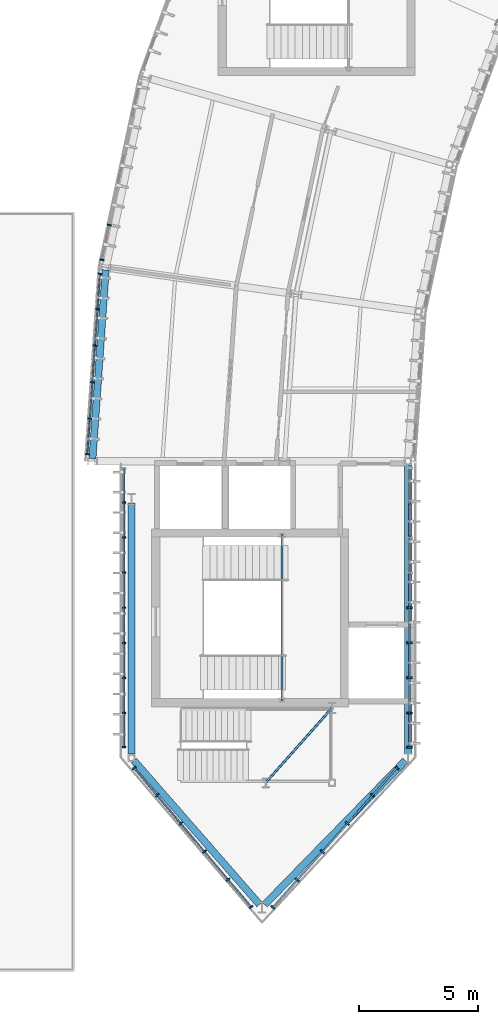
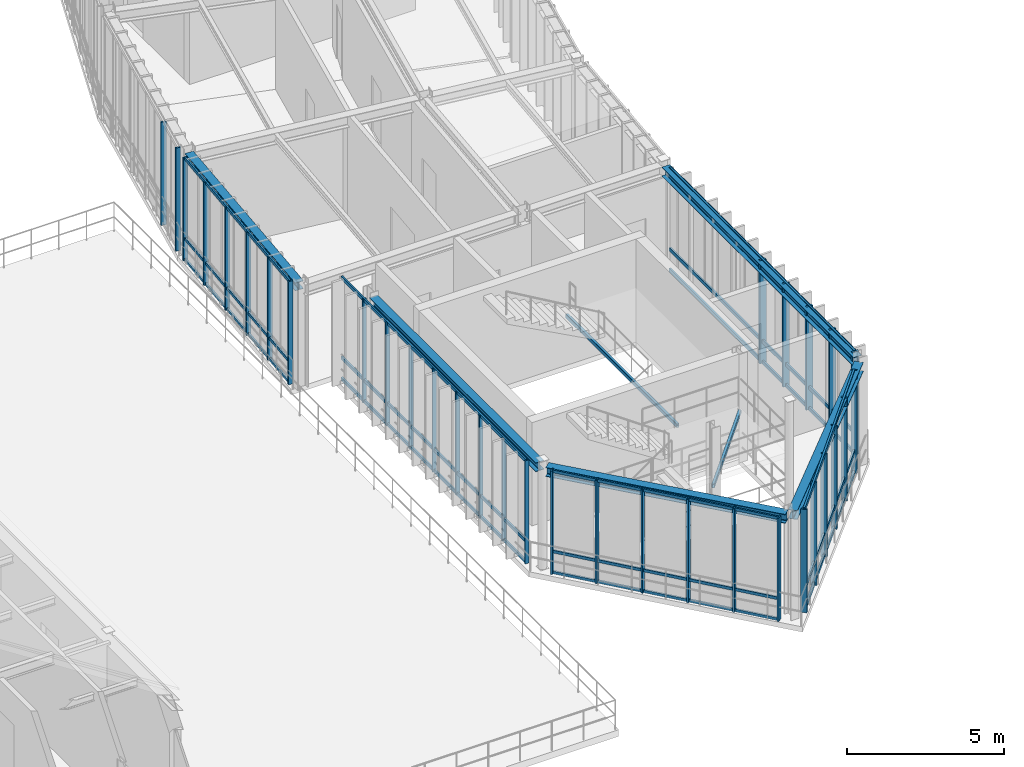
# One storey, part 11 of 52: 50 members, 5 beams, 6 elements without a shape of their own.
"""IFC4 building model written with IfcOpenShell, lengths in metres."""

from ifc_helpers import new_model, si_unit, direction, frame, origin, origin_2d, place, context, subcontext, project, spatial, rectangle, hollow_rectangle, i_section, extrude, material, layer, layer_set, material_profile, profile_set, type_object, element, aggregate, save


model = new_model("IFC4")

# Units and contexts
model_context = context("Model", 3, precision=1e-05, world=origin(), true_north=direction((0.0, 1.0)))
body_context = subcontext(model_context, "Body", "Model", "MODEL_VIEW")
ifc_project = project(units=[si_unit("LENGTHUNIT", "METRE"), si_unit("AREAUNIT", "SQUARE_METRE"), si_unit("VOLUMEUNIT", "CUBIC_METRE"), si_unit("PLANEANGLEUNIT", "RADIAN"), si_unit("MASSUNIT", "GRAM", prefix="KILO"), si_unit("THERMODYNAMICTEMPERATUREUNIT", "KELVIN"), si_unit("POWERUNIT", "WATT")], contexts=[model_context])

# Site, building, storey
site_placement = place(None, origin())
site = spatial("IfcSite", under=ifc_project, at=site_placement, CompositionType="ELEMENT")
building_placement = place(site_placement, origin())
building = spatial("IfcBuilding", under=site, at=building_placement, Name="Solvatero Civic Police Headquarters", CompositionType="ELEMENT")
storey_placement = place(building_placement, frame((0.0, 0.0, 13.5)))
storey = spatial("IfcBuildingStorey", under=building, at=storey_placement, Name="L03", CompositionType="ELEMENT", Elevation=13.5)

# Beams
ifc_material_1 = material(Name="Steel S355", Category="steel")
ifc_material_profile_1 = material_profile(ifc_material_1, i_section(OverallWidth=0.300048828125, OverallDepth=0.31005859375, WebThickness=0.009033203125, FlangeThickness=0.015380859375, FilletRadius=0.027099609375, at=origin_2d()), Name="HEA 320")
ifc_profile_set_1 = profile_set([ifc_material_profile_1], Name="Steel S355")
beam_type_1 = type_object("IfcBeamType", Name="BM-ST-HEA320", PredefinedType="SPANDREL", material=ifc_profile_set_1)
beam_1_placement = place(storey_placement, frame((35.913818359375, 34.062744140625, 3.844970703125), z_axis=(-0.06976460332, -0.997563481751, 0.0), x_axis=(0.997563481751, -0.06976460332, 0.0)))
element("IfcBeam", 1, at=beam_1_placement, inside=storey, type_object=beam_type_1, Name="Perimeter / radial spandrel beam BM-R2-L03-ARC-COUT-B12", PredefinedType="SPANDREL", context=body_context, shape_type="SweptSolid", body=[
    extrude(i_section(OverallWidth=0.300048828125, OverallDepth=0.31005859375, WebThickness=0.009033203125, FlangeThickness=0.015380859375, FilletRadius=0.027099609375, at=origin_2d()), origin(), (0.0, 0.0, 1.0), 7.982421875),
])
ifc_material_profile_2 = material_profile(ifc_material_1, i_section(OverallWidth=0.300048828125, OverallDepth=0.35009765625, WebThickness=0.010009765625, FlangeThickness=0.017578125, FilletRadius=0.027099609375, at=origin_2d()), Name="HEA 360")
ifc_profile_set_2 = profile_set([ifc_material_profile_2], Name="Steel S355")
beam_type_2 = type_object("IfcBeamType", Name="BM-ST-HEA360", PredefinedType="SPANDREL", material=ifc_profile_set_2)
beam_2_placement = place(storey_placement, frame((37.0, 24.239990234375, 3.824951171875), z_axis=(0.0, -1.0, 0.0), x_axis=(1.0, 0.0, 0.0)))
element("IfcBeam", 2, at=beam_2_placement, inside=storey, type_object=beam_type_2, Name="Perimeter / radial spandrel beam BM-R2-L03-PROW-W", PredefinedType="SPANDREL", context=body_context, shape_type="SweptSolid", body=[
    extrude(i_section(OverallWidth=0.300048828125, OverallDepth=0.35009765625, WebThickness=0.010009765625, FlangeThickness=0.017578125, FilletRadius=0.027099609375, at=origin_2d()), origin(), (0.0, 0.0, 1.0), 10.580078125),
])
beam_3_placement = place(storey_placement, frame((37.105224609375, 13.37939453125, 3.824951171875), z_axis=(0.657663937616, -0.753311452959, 0.0), x_axis=(0.753311452959, 0.657663937616, 0.0)))
element("IfcBeam", 3, at=beam_3_placement, inside=storey, type_object=beam_type_2, Name="Perimeter / radial spandrel beam BM-R2-L03-PROW-SW", PredefinedType="SPANDREL", context=body_context, shape_type="SweptSolid", body=[
    extrude(i_section(OverallWidth=0.300048828125, OverallDepth=0.35009765625, WebThickness=0.010009765625, FlangeThickness=0.017578125, FilletRadius=0.027099609375, at=origin_2d()), origin(), (0.0, 0.0, 1.0), 8.04296875),
])
beam_4_placement = place(storey_placement, frame((42.61181640625, 7.314453125, 3.824951171875), z_axis=(0.698523042205, 0.715587562433, 0.0), x_axis=(-0.715587562433, 0.698523042205, 0.0)))
element("IfcBeam", 4, at=beam_4_placement, inside=storey, type_object=beam_type_2, Name="Perimeter / radial spandrel beam BM-R2-L03-PROW-SE", PredefinedType="SPANDREL", context=body_context, shape_type="SweptSolid", body=[
    extrude(i_section(OverallWidth=0.300048828125, OverallDepth=0.35009765625, WebThickness=0.010009765625, FlangeThickness=0.017578125, FilletRadius=0.027099609375, at=origin_2d()), origin(), (0.0, 0.0, 1.0), 8.48388671875),
])
beam_5_placement = place(storey_placement, frame((48.64990234375, 13.659912109375, 3.824951171875), z_axis=(0.0, 1.0, 0.0), x_axis=(-1.0, 0.0, 0.0)))
element("IfcBeam", 5, at=beam_5_placement, inside=storey, type_object=beam_type_2, Name="Perimeter / radial spandrel beam BM-R2-L03-PROW-E", PredefinedType="SPANDREL", context=body_context, shape_type="SweptSolid", body=[
    extrude(i_section(OverallWidth=0.300048828125, OverallDepth=0.35009765625, WebThickness=0.010009765625, FlangeThickness=0.017578125, FilletRadius=0.027099609375, at=origin_2d()), origin(), (0.0, 0.0, 1.0), 12.18017578125),
])

# Curtain wall, members
ifc_material_2 = material(Name="Anodized Bronze Aluminium", Category="aluminium")
ifc_layer_1 = layer(ifc_material_2, 0.179931640625)
ifc_layer_set_1 = layer_set([ifc_layer_1], Name="Anodized Bronze Aluminium")
curtain_wall_type_1 = type_object("IfcCurtainWallType", Name="CW-PROW-GLZ", PredefinedType="USERDEFINED", material=ifc_layer_set_1)
curtain_wall_1_placement = place(storey_placement, origin())
curtain_wall_1 = element("IfcCurtainWall", 6, at=curtain_wall_1_placement, inside=storey, type_object=curtain_wall_type_1, Name="Curtain Wall CW-R2-L03-PROW-E", ObjectType="UNITISED", PredefinedType="USERDEFINED")
ifc_material_profile_3 = material_profile(ifc_material_2, rectangle(XDim=0.080078125, YDim=0.239990234375, at=origin_2d()), Name="ALU MULLION 80x240")
ifc_profile_set_3 = profile_set([ifc_material_profile_3], Name="Anodized Bronze Aluminium")
member_type_1 = type_object("IfcMemberType", Name="CWM-140x60", PredefinedType="MULLION", material=ifc_profile_set_3)
member_1_placement = place(storey_placement, frame((48.719970703125, 13.949951171875, 0.0), z_axis=(0.0, 0.0, 1.0), x_axis=(0.0, 1.0, 0.0)))
member_1 = element("IfcMember", 7, at=member_1_placement, type_object=member_type_1, Name="CW-R2-L03-PROW-E Mullion 1", PredefinedType="MULLION", context=body_context, shape_type="SweptSolid", body=[
    extrude(rectangle(XDim=0.080078125, YDim=0.239990234375, at=origin_2d()), origin(), (0.0, 0.0, 1.0), 4.0),
])
member_2_placement = place(storey_placement, frame((48.719970703125, 15.388671875, 0.0), z_axis=(0.0, 0.0, 1.0), x_axis=(0.0, 1.0, 0.0)))
member_2 = element("IfcMember", 8, at=member_2_placement, type_object=member_type_1, Name="CW-R2-L03-PROW-E Mullion 2", PredefinedType="MULLION", context=body_context, shape_type="SweptSolid", body=[
    extrude(rectangle(XDim=0.080078125, YDim=0.239990234375, at=origin_2d()), origin(), (0.0, 0.0, 1.0), 4.0),
])
member_3_placement = place(storey_placement, frame((48.719970703125, 16.867431640625, 0.0), z_axis=(0.0, 0.0, 1.0), x_axis=(0.0, 1.0, 0.0)))
member_3 = element("IfcMember", 9, at=member_3_placement, type_object=member_type_1, Name="CW-R2-L03-PROW-E Mullion 3", PredefinedType="MULLION", context=body_context, shape_type="SweptSolid", body=[
    extrude(rectangle(XDim=0.080078125, YDim=0.239990234375, at=origin_2d()), origin(), (0.0, 0.0, 1.0), 4.0),
])
member_4_placement = place(storey_placement, frame((48.719970703125, 18.34619140625, 0.0), z_axis=(0.0, 0.0, 1.0), x_axis=(0.0, 1.0, 0.0)))
member_4 = element("IfcMember", 10, at=member_4_placement, type_object=member_type_1, Name="CW-R2-L03-PROW-E Mullion 4", PredefinedType="MULLION", context=body_context, shape_type="SweptSolid", body=[
    extrude(rectangle(XDim=0.080078125, YDim=0.239990234375, at=origin_2d()), origin(), (0.0, 0.0, 1.0), 4.0),
])
member_5_placement = place(storey_placement, frame((48.719970703125, 19.824951171875, 0.0), z_axis=(0.0, 0.0, 1.0), x_axis=(0.0, 1.0, 0.0)))
member_5 = element("IfcMember", 11, at=member_5_placement, type_object=member_type_1, Name="CW-R2-L03-PROW-E Mullion 5", PredefinedType="MULLION", context=body_context, shape_type="SweptSolid", body=[
    extrude(rectangle(XDim=0.080078125, YDim=0.239990234375, at=origin_2d()), origin(), (0.0, 0.0, 1.0), 4.0),
])

curtain_wall_2_placement = place(storey_placement, origin())
curtain_wall_2 = element("IfcCurtainWall", 12, at=curtain_wall_2_placement, inside=storey, type_object=curtain_wall_type_1, Name="Curtain Wall CW-R2-L03-PROW-W", ObjectType="UNITISED", PredefinedType="USERDEFINED")
ifc_material_profile_4 = material_profile(ifc_material_2, rectangle(XDim=0.06005859375, YDim=0.139892578125, at=origin_2d()), Name="ALU MULLION 60x140")
ifc_profile_set_4 = profile_set([ifc_material_profile_4], Name="Anodized Bronze Aluminium")
member_type_2 = type_object("IfcMemberType", Name="CWM-160x65", PredefinedType="MULLION", material=ifc_profile_set_4)
member_6_placement = place(storey_placement, frame((36.679931640625, 24.26123046875, 0.0), z_axis=(0.0, 0.0, 1.0), x_axis=(0.0, -1.0, 0.0)))
member_6 = element("IfcMember", 13, at=member_6_placement, type_object=member_type_2, Name="CW-R2-L03-PROW-W Mullion 2", PredefinedType="MULLION", context=body_context, shape_type="SweptSolid", body=[
    extrude(rectangle(XDim=0.06005859375, YDim=0.139892578125, at=origin_2d()), origin(), (0.0, 0.0, 1.0), 4.0),
])
member_7_placement = place(storey_placement, frame((36.679931640625, 22.782470703125, 0.0), z_axis=(0.0, 0.0, 1.0), x_axis=(0.0, -1.0, 0.0)))
member_7 = element("IfcMember", 14, at=member_7_placement, type_object=member_type_2, Name="CW-R2-L03-PROW-W Mullion 3", PredefinedType="MULLION", context=body_context, shape_type="SweptSolid", body=[
    extrude(rectangle(XDim=0.06005859375, YDim=0.139892578125, at=origin_2d()), origin(), (0.0, 0.0, 1.0), 4.0),
])
member_8_placement = place(storey_placement, frame((36.679931640625, 21.3037109375, 0.0), z_axis=(0.0, 0.0, 1.0), x_axis=(0.0, -1.0, 0.0)))
member_8 = element("IfcMember", 15, at=member_8_placement, type_object=member_type_2, Name="CW-R2-L03-PROW-W Mullion 4", PredefinedType="MULLION", context=body_context, shape_type="SweptSolid", body=[
    extrude(rectangle(XDim=0.06005859375, YDim=0.139892578125, at=origin_2d()), origin(), (0.0, 0.0, 1.0), 4.0),
])
member_9_placement = place(storey_placement, frame((36.679931640625, 19.824951171875, 0.0), z_axis=(0.0, 0.0, 1.0), x_axis=(0.0, -1.0, 0.0)))
member_9 = element("IfcMember", 16, at=member_9_placement, type_object=member_type_2, Name="CW-R2-L03-PROW-W Mullion 5", PredefinedType="MULLION", context=body_context, shape_type="SweptSolid", body=[
    extrude(rectangle(XDim=0.06005859375, YDim=0.139892578125, at=origin_2d()), origin(), (0.0, 0.0, 1.0), 4.0),
])
member_10_placement = place(storey_placement, frame((36.679931640625, 18.34619140625, 0.0), z_axis=(0.0, 0.0, 1.0), x_axis=(0.0, -1.0, 0.0)))
member_10 = element("IfcMember", 17, at=member_10_placement, type_object=member_type_2, Name="CW-R2-L03-PROW-W Mullion 6", PredefinedType="MULLION", context=body_context, shape_type="SweptSolid", body=[
    extrude(rectangle(XDim=0.06005859375, YDim=0.139892578125, at=origin_2d()), origin(), (0.0, 0.0, 1.0), 4.0),
])
member_11_placement = place(storey_placement, frame((36.679931640625, 16.867431640625, 0.0), z_axis=(0.0, 0.0, 1.0), x_axis=(0.0, -1.0, 0.0)))
member_11 = element("IfcMember", 18, at=member_11_placement, type_object=member_type_2, Name="CW-R2-L03-PROW-W Mullion 7", PredefinedType="MULLION", context=body_context, shape_type="SweptSolid", body=[
    extrude(rectangle(XDim=0.06005859375, YDim=0.139892578125, at=origin_2d()), origin(), (0.0, 0.0, 1.0), 4.0),
])
member_12_placement = place(storey_placement, frame((36.679931640625, 15.388671875, 0.0), z_axis=(0.0, 0.0, 1.0), x_axis=(0.0, -1.0, 0.0)))
member_12 = element("IfcMember", 19, at=member_12_placement, type_object=member_type_2, Name="CW-R2-L03-PROW-W Mullion 8", PredefinedType="MULLION", context=body_context, shape_type="SweptSolid", body=[
    extrude(rectangle(XDim=0.06005859375, YDim=0.139892578125, at=origin_2d()), origin(), (0.0, 0.0, 1.0), 4.0),
])
member_13_placement = place(storey_placement, frame((36.679931640625, 13.949951171875, 0.0), z_axis=(0.0, 0.0, 1.0), x_axis=(0.0, -1.0, 0.0)))
member_13 = element("IfcMember", 20, at=member_13_placement, type_object=member_type_2, Name="CW-R2-L03-PROW-W Mullion 9", PredefinedType="MULLION", context=body_context, shape_type="SweptSolid", body=[
    extrude(rectangle(XDim=0.06005859375, YDim=0.139892578125, at=origin_2d()), origin(), (0.0, 0.0, 1.0), 4.0),
])

ifc_layer_2 = layer(ifc_material_2, 0.179931640625)
ifc_layer_set_2 = layer_set([ifc_layer_2], Name="Anodized Bronze Aluminium")
curtain_wall_type_2 = type_object("IfcCurtainWallType", Name="CW-ARC-OUT", PredefinedType="USERDEFINED", material=ifc_layer_set_2)
curtain_wall_3_placement = place(storey_placement, origin())
curtain_wall_3 = element("IfcCurtainWall", 21, at=curtain_wall_3_placement, inside=storey, type_object=curtain_wall_type_2, Name="Curtain Wall CW-R2-L03-ARC-OUT-B12", ObjectType="UNITISED", PredefinedType="USERDEFINED")
ifc_material_profile_5 = material_profile(ifc_material_2, rectangle(XDim=0.06005859375, YDim=0.159912109375, at=origin_2d()), Name="ALU MULLION 60x160")
ifc_profile_set_5 = profile_set([ifc_material_profile_5], Name="Anodized Bronze Aluminium")
member_type_3 = type_object("IfcMemberType", Name="CWM-180x70", PredefinedType="MULLION", material=ifc_profile_set_5)
member_14_placement = place(storey_placement, frame((35.67236328125, 33.899169921875, 0.0), z_axis=(0.0, 0.0, 1.0), x_axis=(-0.069739062956, -0.997565267588, 0.0)))
member_14 = element("IfcMember", 22, at=member_14_placement, type_object=member_type_3, Name="CW-R2-L03-ARC-OUT-B12 Mullion 1", PredefinedType="MULLION", context=body_context, shape_type="SweptSolid", body=[
    extrude(rectangle(XDim=0.06005859375, YDim=0.159912109375, at=origin_2d()), origin(), (0.0, 0.0, 1.0), 4.0),
])
member_15_placement = place(storey_placement, frame((35.567626953125, 32.40234375, 0.0), z_axis=(0.0, 0.0, 1.0), x_axis=(-0.069739062956, -0.997565267588, 0.0)))
member_15 = element("IfcMember", 23, at=member_15_placement, type_object=member_type_3, Name="CW-R2-L03-ARC-OUT-B12 Mullion 2", PredefinedType="MULLION", context=body_context, shape_type="SweptSolid", body=[
    extrude(rectangle(XDim=0.06005859375, YDim=0.159912109375, at=origin_2d()), origin(), (0.0, 0.0, 1.0), 4.0),
])
member_16_placement = place(storey_placement, frame((35.460205078125, 30.865478515625, 0.0), z_axis=(0.0, 0.0, 1.0), x_axis=(-0.069739062956, -0.997565267588, 0.0)))
member_16 = element("IfcMember", 24, at=member_16_placement, type_object=member_type_3, Name="CW-R2-L03-ARC-OUT-B12 Mullion 3", PredefinedType="MULLION", context=body_context, shape_type="SweptSolid", body=[
    extrude(rectangle(XDim=0.06005859375, YDim=0.159912109375, at=origin_2d()), origin(), (0.0, 0.0, 1.0), 4.0),
])
member_17_placement = place(storey_placement, frame((35.352783203125, 29.328857421875, 0.0), z_axis=(0.0, 0.0, 1.0), x_axis=(-0.069739062956, -0.997565267588, 0.0)))
member_17 = element("IfcMember", 25, at=member_17_placement, type_object=member_type_3, Name="CW-R2-L03-ARC-OUT-B12 Mullion 4", PredefinedType="MULLION", context=body_context, shape_type="SweptSolid", body=[
    extrude(rectangle(XDim=0.06005859375, YDim=0.159912109375, at=origin_2d()), origin(), (0.0, 0.0, 1.0), 4.0),
])
member_18_placement = place(storey_placement, frame((35.245361328125, 27.7919921875, 0.0), z_axis=(0.0, 0.0, 1.0), x_axis=(-0.069739062956, -0.997565267588, 0.0)))
member_18 = element("IfcMember", 26, at=member_18_placement, type_object=member_type_3, Name="CW-R2-L03-ARC-OUT-B12 Mullion 5", PredefinedType="MULLION", context=body_context, shape_type="SweptSolid", body=[
    extrude(rectangle(XDim=0.06005859375, YDim=0.159912109375, at=origin_2d()), origin(), (0.0, 0.0, 1.0), 4.0),
])
member_19_placement = place(storey_placement, frame((35.140625, 26.29541015625, 0.0), z_axis=(0.0, 0.0, 1.0), x_axis=(-0.069739062956, -0.997565267588, 0.0)))
member_19 = element("IfcMember", 27, at=member_19_placement, type_object=member_type_3, Name="CW-R2-L03-ARC-OUT-B12 Mullion 6", PredefinedType="MULLION", context=body_context, shape_type="SweptSolid", body=[
    extrude(rectangle(XDim=0.06005859375, YDim=0.159912109375, at=origin_2d()), origin(), (0.0, 0.0, 1.0), 4.0),
])

curtain_wall_4_placement = place(storey_placement, origin())
curtain_wall_4 = element("IfcCurtainWall", 28, at=curtain_wall_4_placement, inside=storey, type_object=curtain_wall_type_2, Name="Curtain Wall CW-R2-L03-ARC-OUT-B11", ObjectType="UNITISED", PredefinedType="USERDEFINED")
ifc_material_profile_6 = material_profile(ifc_material_2, rectangle(XDim=0.06494140625, YDim=0.179931640625, at=origin_2d()), Name="ALU MULLION 65x180")
ifc_profile_set_6 = profile_set([ifc_material_profile_6], Name="Anodized Bronze Aluminium")
member_type_4 = type_object("IfcMemberType", Name="CWM-200x75", PredefinedType="MULLION", material=ifc_profile_set_6)
member_20_placement = place(storey_placement, frame((36.066650390625, 35.951904296875, 0.0), z_axis=(0.0, 0.0, 1.0), x_axis=(-0.207928762682, -0.978143971841, 0.0)))
member_20 = element("IfcMember", 29, at=member_20_placement, type_object=member_type_4, Name="CW-R2-L03-ARC-OUT-B11 Mullion 5", PredefinedType="MULLION", context=body_context, shape_type="SweptSolid", body=[
    extrude(rectangle(XDim=0.06494140625, YDim=0.179931640625, at=origin_2d()), origin(), (0.0, 0.0, 1.0), 4.0),
])
member_21_placement = place(storey_placement, frame((35.754638671875, 34.484130859375, 0.0), z_axis=(0.0, 0.0, 1.0), x_axis=(-0.207928762682, -0.978143971841, 0.0)))
member_21 = element("IfcMember", 30, at=member_21_placement, type_object=member_type_4, Name="CW-R2-L03-ARC-OUT-B11 Mullion 6", PredefinedType="MULLION", context=body_context, shape_type="SweptSolid", body=[
    extrude(rectangle(XDim=0.06494140625, YDim=0.179931640625, at=origin_2d()), origin(), (0.0, 0.0, 1.0), 4.0),
])
aggregate(curtain_wall_4, [member_20, member_21])

curtain_wall_5_placement = place(storey_placement, origin())
curtain_wall_5 = element("IfcCurtainWall", 31, at=curtain_wall_5_placement, inside=storey, type_object=curtain_wall_type_1, Name="Curtain Wall CW-R2-L03-PROW-SW", ObjectType="UNITISED", PredefinedType="USERDEFINED")
member_22_placement = place(storey_placement, frame((37.1142578125, 13.073486328125, 0.0), z_axis=(0.0, 0.0, 1.0), x_axis=(0.643282165541, -0.765629189293, 0.0)))
member_22 = element("IfcMember", 32, at=member_22_placement, type_object=member_type_4, Name="CW-R2-L03-PROW-SW Mullion 1", PredefinedType="MULLION", context=body_context, shape_type="SweptSolid", body=[
    extrude(rectangle(XDim=0.06494140625, YDim=0.179931640625, at=origin_2d()), origin(), (0.0, 0.0, 1.0), 4.0),
])
member_23_placement = place(storey_placement, frame((38.083984375, 11.91943359375, 0.0), z_axis=(0.0, 0.0, 1.0), x_axis=(0.643282165541, -0.765629189293, 0.0)))
member_23 = element("IfcMember", 33, at=member_23_placement, type_object=member_type_4, Name="CW-R2-L03-PROW-SW Mullion 2", PredefinedType="MULLION", context=body_context, shape_type="SweptSolid", body=[
    extrude(rectangle(XDim=0.06494140625, YDim=0.179931640625, at=origin_2d()), origin(), (0.0, 0.0, 1.0), 4.0),
])
member_24_placement = place(storey_placement, frame((39.079345703125, 10.73486328125, 0.0), z_axis=(0.0, 0.0, 1.0), x_axis=(0.643282165541, -0.765629189293, 0.0)))
member_24 = element("IfcMember", 34, at=member_24_placement, type_object=member_type_4, Name="CW-R2-L03-PROW-SW Mullion 3", PredefinedType="MULLION", context=body_context, shape_type="SweptSolid", body=[
    extrude(rectangle(XDim=0.06494140625, YDim=0.179931640625, at=origin_2d()), origin(), (0.0, 0.0, 1.0), 4.0),
])
member_25_placement = place(storey_placement, frame((40.07470703125, 9.550048828125, 0.0), z_axis=(0.0, 0.0, 1.0), x_axis=(0.643282165541, -0.765629189293, 0.0)))
member_25 = element("IfcMember", 35, at=member_25_placement, type_object=member_type_4, Name="CW-R2-L03-PROW-SW Mullion 4", PredefinedType="MULLION", context=body_context, shape_type="SweptSolid", body=[
    extrude(rectangle(XDim=0.06494140625, YDim=0.179931640625, at=origin_2d()), origin(), (0.0, 0.0, 1.0), 4.0),
])
member_26_placement = place(storey_placement, frame((41.070068359375, 8.365478515625, 0.0), z_axis=(0.0, 0.0, 1.0), x_axis=(0.643282165541, -0.765629189293, 0.0)))
member_26 = element("IfcMember", 36, at=member_26_placement, type_object=member_type_4, Name="CW-R2-L03-PROW-SW Mullion 5", PredefinedType="MULLION", context=body_context, shape_type="SweptSolid", body=[
    extrude(rectangle(XDim=0.06494140625, YDim=0.179931640625, at=origin_2d()), origin(), (0.0, 0.0, 1.0), 4.0),
])
member_27_placement = place(storey_placement, frame((42.03955078125, 7.21142578125, 0.0), z_axis=(0.0, 0.0, 1.0), x_axis=(0.643282165541, -0.765629189293, 0.0)))
member_27 = element("IfcMember", 37, at=member_27_placement, type_object=member_type_4, Name="CW-R2-L03-PROW-SW Mullion 6", PredefinedType="MULLION", context=body_context, shape_type="SweptSolid", body=[
    extrude(rectangle(XDim=0.06494140625, YDim=0.179931640625, at=origin_2d()), origin(), (0.0, 0.0, 1.0), 4.0),
])

curtain_wall_6_placement = place(storey_placement, origin())
curtain_wall_6 = element("IfcCurtainWall", 38, at=curtain_wall_6_placement, inside=storey, type_object=curtain_wall_type_1, Name="Curtain Wall CW-R2-L03-PROW-SE", ObjectType="UNITISED", PredefinedType="USERDEFINED")
ifc_material_profile_7 = material_profile(ifc_material_2, rectangle(XDim=0.070068359375, YDim=0.199951171875, at=origin_2d()), Name="ALU MULLION 70x200")
ifc_profile_set_7 = profile_set([ifc_material_profile_7], Name="Anodized Bronze Aluminium")
member_type_5 = type_object("IfcMemberType", Name="CWM-220x80", PredefinedType="MULLION", material=ifc_profile_set_7)
member_28_placement = place(storey_placement, frame((42.957763671875, 7.201171875, 0.0), z_axis=(0.0, 0.0, 1.0), x_axis=(0.664669821698, 0.74713722175, 0.0)))
member_28 = element("IfcMember", 39, at=member_28_placement, type_object=member_type_5, Name="CW-R2-L03-PROW-SE Mullion 1", PredefinedType="MULLION", context=body_context, shape_type="SweptSolid", body=[
    extrude(rectangle(XDim=0.070068359375, YDim=0.199951171875, at=origin_2d()), origin(), (0.0, 0.0, 1.0), 4.0),
])
member_29_placement = place(storey_placement, frame((43.98681640625, 8.35791015625, 0.0), z_axis=(0.0, 0.0, 1.0), x_axis=(0.664669821698, 0.74713722175, 0.0)))
member_29 = element("IfcMember", 40, at=member_29_placement, type_object=member_type_5, Name="CW-R2-L03-PROW-SE Mullion 2", PredefinedType="MULLION", context=body_context, shape_type="SweptSolid", body=[
    extrude(rectangle(XDim=0.070068359375, YDim=0.199951171875, at=origin_2d()), origin(), (0.0, 0.0, 1.0), 4.0),
])
member_30_placement = place(storey_placement, frame((45.042724609375, 9.544921875, 0.0), z_axis=(0.0, 0.0, 1.0), x_axis=(0.664669821698, 0.74713722175, 0.0)))
member_30 = element("IfcMember", 41, at=member_30_placement, type_object=member_type_5, Name="CW-R2-L03-PROW-SE Mullion 3", PredefinedType="MULLION", context=body_context, shape_type="SweptSolid", body=[
    extrude(rectangle(XDim=0.070068359375, YDim=0.199951171875, at=origin_2d()), origin(), (0.0, 0.0, 1.0), 4.0),
])
member_31_placement = place(storey_placement, frame((46.098388671875, 10.731689453125, 0.0), z_axis=(0.0, 0.0, 1.0), x_axis=(0.664669821698, 0.74713722175, 0.0)))
member_31 = element("IfcMember", 42, at=member_31_placement, type_object=member_type_5, Name="CW-R2-L03-PROW-SE Mullion 4", PredefinedType="MULLION", context=body_context, shape_type="SweptSolid", body=[
    extrude(rectangle(XDim=0.070068359375, YDim=0.199951171875, at=origin_2d()), origin(), (0.0, 0.0, 1.0), 4.0),
])
member_32_placement = place(storey_placement, frame((47.154296875, 11.91845703125, 0.0), z_axis=(0.0, 0.0, 1.0), x_axis=(0.664669821698, 0.74713722175, 0.0)))
member_32 = element("IfcMember", 43, at=member_32_placement, type_object=member_type_5, Name="CW-R2-L03-PROW-SE Mullion 5", PredefinedType="MULLION", context=body_context, shape_type="SweptSolid", body=[
    extrude(rectangle(XDim=0.070068359375, YDim=0.199951171875, at=origin_2d()), origin(), (0.0, 0.0, 1.0), 4.0),
])
member_33_placement = place(storey_placement, frame((48.18359375, 13.0751953125, 0.0), z_axis=(0.0, 0.0, 1.0), x_axis=(0.664669821698, 0.74713722175, 0.0)))
member_33 = element("IfcMember", 44, at=member_33_placement, type_object=member_type_5, Name="CW-R2-L03-PROW-SE Mullion 6", PredefinedType="MULLION", context=body_context, shape_type="SweptSolid", body=[
    extrude(rectangle(XDim=0.070068359375, YDim=0.199951171875, at=origin_2d()), origin(), (0.0, 0.0, 1.0), 4.0),
])
ifc_material_profile_8 = material_profile(ifc_material_2, rectangle(XDim=0.070068359375, YDim=0.159912109375, at=origin_2d()), Name="ALU TRANSOM 70x160")
ifc_profile_set_8 = profile_set([ifc_material_profile_8], Name="Anodized Bronze Aluminium")
member_type_6 = type_object("IfcMemberType", Name="CWT-120x55", PredefinedType="USERDEFINED", material=ifc_profile_set_8)
member_34_placement = place(storey_placement, frame((42.96435546875, 7.20849609375, 0.0400390625), z_axis=(0.664671010245, 0.74713616439, 0.0), x_axis=(-0.74713616439, 0.664671010245, 0.0)))
member_34 = element("IfcMember", 45, at=member_34_placement, type_object=member_type_6, Name="CW-R2-L03-PROW-SE Transom 1", ObjectType="TRANSOM", PredefinedType="USERDEFINED", context=body_context, shape_type="SweptSolid", body=[
    extrude(rectangle(XDim=0.070068359375, YDim=0.159912109375, at=origin_2d()), origin(), (0.0, 0.0, 1.0), 7.842529296875),
])
member_35_placement = place(storey_placement, frame((42.96435546875, 7.20849609375, 0.85009765625), z_axis=(0.664671010245, 0.74713616439, 0.0), x_axis=(-0.74713616439, 0.664671010245, 0.0)))
member_35 = element("IfcMember", 46, at=member_35_placement, type_object=member_type_6, Name="CW-R2-L03-PROW-SE Transom 2", ObjectType="TRANSOM", PredefinedType="USERDEFINED", context=body_context, shape_type="SweptSolid", body=[
    extrude(rectangle(XDim=0.070068359375, YDim=0.159912109375, at=origin_2d()), origin(), (0.0, 0.0, 1.0), 7.842529296875),
])
member_36_placement = place(storey_placement, frame((42.96435546875, 7.20849609375, 3.9599609375), z_axis=(0.664671010245, 0.74713616439, 0.0), x_axis=(-0.74713616439, 0.664671010245, 0.0)))
member_36 = element("IfcMember", 47, at=member_36_placement, type_object=member_type_6, Name="CW-R2-L03-PROW-SE Transom 3", ObjectType="TRANSOM", PredefinedType="USERDEFINED", context=body_context, shape_type="SweptSolid", body=[
    extrude(rectangle(XDim=0.070068359375, YDim=0.159912109375, at=origin_2d()), origin(), (0.0, 0.0, 1.0), 7.842529296875),
])
aggregate(curtain_wall_6, [member_28, member_29, member_30, member_31, member_32, member_33, member_34, member_35, member_36])

# Member
ifc_material_profile_9 = material_profile(ifc_material_2, rectangle(XDim=0.06005859375, YDim=0.110107421875, at=origin_2d()), Name="ALU TRANSOM 60x110")
ifc_profile_set_9 = profile_set([ifc_material_profile_9], Name="Anodized Bronze Aluminium")
member_type_7 = type_object("IfcMemberType", Name="CWT-140x60", PredefinedType="USERDEFINED", material=ifc_profile_set_9)
member_37_placement = place(storey_placement, frame((35.671630859375, 33.88916015625, 0.0400390625), z_axis=(-0.069752109583, -0.997564355422, 0.0), x_axis=(0.997564355422, -0.069752109583, 0.0)))
member_37 = element("IfcMember", 48, at=member_37_placement, type_object=member_type_7, Name="CW-R2-L03-ARC-OUT-B12 Transom 1", ObjectType="TRANSOM", PredefinedType="USERDEFINED", context=body_context, shape_type="SweptSolid", body=[
    extrude(rectangle(XDim=0.06005859375, YDim=0.110107421875, at=origin_2d()), origin(), (0.0, 0.0, 1.0), 7.602294921875),
])

member_38_placement = place(storey_placement, frame((35.671630859375, 33.88916015625, 0.85009765625), z_axis=(-0.069752109583, -0.997564355422, 0.0), x_axis=(0.997564355422, -0.069752109583, 0.0)))
member_38 = element("IfcMember", 49, at=member_38_placement, type_object=member_type_7, Name="CW-R2-L03-ARC-OUT-B12 Transom 2", ObjectType="TRANSOM", PredefinedType="USERDEFINED", context=body_context, shape_type="SweptSolid", body=[
    extrude(rectangle(XDim=0.06005859375, YDim=0.110107421875, at=origin_2d()), origin(), (0.0, 0.0, 1.0), 7.602294921875),
])

member_39_placement = place(storey_placement, frame((35.671630859375, 33.88916015625, 3.9599609375), z_axis=(-0.069752109583, -0.997564355422, 0.0), x_axis=(0.997564355422, -0.069752109583, 0.0)))
member_39 = element("IfcMember", 50, at=member_39_placement, type_object=member_type_7, Name="CW-R2-L03-ARC-OUT-B12 Transom 3", ObjectType="TRANSOM", PredefinedType="USERDEFINED", context=body_context, shape_type="SweptSolid", body=[
    extrude(rectangle(XDim=0.06005859375, YDim=0.110107421875, at=origin_2d()), origin(), (0.0, 0.0, 1.0), 7.602294921875),
])

aggregate(curtain_wall_3, [member_14, member_15, member_16, member_17, member_18, member_19, member_37, member_38, member_39])

member_40_placement = place(storey_placement, frame((37.120849609375, 13.06591796875, 0.0400390625), z_axis=(0.643264060585, -0.765644400724, 0.0), x_axis=(0.765644400724, 0.643264060585, 0.0)))
member_40 = element("IfcMember", 51, at=member_40_placement, type_object=member_type_7, Name="CW-R2-L03-PROW-SW Transom 1", ObjectType="TRANSOM", PredefinedType="USERDEFINED", context=body_context, shape_type="SweptSolid", body=[
    extrude(rectangle(XDim=0.06005859375, YDim=0.110107421875, at=origin_2d()), origin(), (0.0, 0.0, 1.0), 7.63671875),
])

member_41_placement = place(storey_placement, frame((37.120849609375, 13.06591796875, 0.85009765625), z_axis=(0.643264060585, -0.765644400724, 0.0), x_axis=(0.765644400724, 0.643264060585, 0.0)))
member_41 = element("IfcMember", 52, at=member_41_placement, type_object=member_type_7, Name="CW-R2-L03-PROW-SW Transom 2", ObjectType="TRANSOM", PredefinedType="USERDEFINED", context=body_context, shape_type="SweptSolid", body=[
    extrude(rectangle(XDim=0.06005859375, YDim=0.110107421875, at=origin_2d()), origin(), (0.0, 0.0, 1.0), 7.63671875),
])

member_42_placement = place(storey_placement, frame((37.120849609375, 13.06591796875, 3.9599609375), z_axis=(0.643264060585, -0.765644400724, 0.0), x_axis=(0.765644400724, 0.643264060585, 0.0)))
member_42 = element("IfcMember", 53, at=member_42_placement, type_object=member_type_7, Name="CW-R2-L03-PROW-SW Transom 3", ObjectType="TRANSOM", PredefinedType="USERDEFINED", context=body_context, shape_type="SweptSolid", body=[
    extrude(rectangle(XDim=0.06005859375, YDim=0.110107421875, at=origin_2d()), origin(), (0.0, 0.0, 1.0), 7.63671875),
])

aggregate(curtain_wall_5, [member_22, member_23, member_24, member_25, member_26, member_27, member_40, member_41, member_42])

ifc_material_profile_10 = material_profile(ifc_material_2, rectangle(XDim=0.06005859375, YDim=0.125, at=origin_2d()), Name="ALU TRANSOM 60x125")
ifc_profile_set_10 = profile_set([ifc_material_profile_10], Name="Anodized Bronze Aluminium")
member_type_8 = type_object("IfcMemberType", Name="CWT-160x65", PredefinedType="USERDEFINED", material=ifc_profile_set_10)
member_43_placement = place(storey_placement, frame((36.679931640625, 25.68994140625, 0.0400390625), z_axis=(0.0, -1.0, 0.0), x_axis=(1.0, 0.0, 0.0)))
member_43 = element("IfcMember", 54, at=member_43_placement, type_object=member_type_8, Name="CW-R2-L03-PROW-W Transom 1", ObjectType="TRANSOM", PredefinedType="USERDEFINED", context=body_context, shape_type="SweptSolid", body=[
    extrude(rectangle(XDim=0.06005859375, YDim=0.125, at=origin_2d()), origin(), (0.0, 0.0, 1.0), 11.72998046875),
])

member_44_placement = place(storey_placement, frame((36.679931640625, 25.68994140625, 0.85009765625), z_axis=(0.0, -1.0, 0.0), x_axis=(1.0, 0.0, 0.0)))
member_44 = element("IfcMember", 55, at=member_44_placement, type_object=member_type_8, Name="CW-R2-L03-PROW-W Transom 2", ObjectType="TRANSOM", PredefinedType="USERDEFINED", context=body_context, shape_type="SweptSolid", body=[
    extrude(rectangle(XDim=0.06005859375, YDim=0.125, at=origin_2d()), origin(), (0.0, 0.0, 1.0), 11.72998046875),
])

member_45_placement = place(storey_placement, frame((36.679931640625, 25.68994140625, 3.9599609375), z_axis=(0.0, -1.0, 0.0), x_axis=(1.0, 0.0, 0.0)))
member_45 = element("IfcMember", 56, at=member_45_placement, type_object=member_type_8, Name="CW-R2-L03-PROW-W Transom 3", ObjectType="TRANSOM", PredefinedType="USERDEFINED", context=body_context, shape_type="SweptSolid", body=[
    extrude(rectangle(XDim=0.06005859375, YDim=0.125, at=origin_2d()), origin(), (0.0, 0.0, 1.0), 11.72998046875),
])

aggregate(curtain_wall_2, [member_6, member_7, member_8, member_9, member_10, member_11, member_12, member_13, member_43, member_44, member_45])

ifc_material_profile_11 = material_profile(ifc_material_2, rectangle(XDim=0.06494140625, YDim=0.139892578125, at=origin_2d()), Name="ALU TRANSOM 65x140")
ifc_profile_set_11 = profile_set([ifc_material_profile_11], Name="Anodized Bronze Aluminium")
member_type_9 = type_object("IfcMemberType", Name="CWT-180x70", PredefinedType="USERDEFINED", material=ifc_profile_set_11)
member_46_placement = place(storey_placement, frame((48.719970703125, 13.9599609375, 0.0400390625), z_axis=(0.0, 1.0, 0.0), x_axis=(-1.0, 0.0, 0.0)))
member_46 = element("IfcMember", 57, at=member_46_placement, type_object=member_type_9, Name="CW-R2-L03-PROW-E Transom 1", ObjectType="TRANSOM", PredefinedType="USERDEFINED", context=body_context, shape_type="SweptSolid", body=[
    extrude(rectangle(XDim=0.06494140625, YDim=0.139892578125, at=origin_2d()), origin(), (0.0, 0.0, 1.0), 11.72998046875),
])

member_47_placement = place(storey_placement, frame((48.719970703125, 13.9599609375, 0.85009765625), z_axis=(0.0, 1.0, 0.0), x_axis=(-1.0, 0.0, 0.0)))
member_47 = element("IfcMember", 58, at=member_47_placement, type_object=member_type_9, Name="CW-R2-L03-PROW-E Transom 2", ObjectType="TRANSOM", PredefinedType="USERDEFINED", context=body_context, shape_type="SweptSolid", body=[
    extrude(rectangle(XDim=0.06494140625, YDim=0.139892578125, at=origin_2d()), origin(), (0.0, 0.0, 1.0), 11.72998046875),
])

member_48_placement = place(storey_placement, frame((48.719970703125, 13.9599609375, 3.9599609375), z_axis=(0.0, 1.0, 0.0), x_axis=(-1.0, 0.0, 0.0)))
member_48 = element("IfcMember", 59, at=member_48_placement, type_object=member_type_9, Name="CW-R2-L03-PROW-E Transom 3", ObjectType="TRANSOM", PredefinedType="USERDEFINED", context=body_context, shape_type="SweptSolid", body=[
    extrude(rectangle(XDim=0.06494140625, YDim=0.139892578125, at=origin_2d()), origin(), (0.0, 0.0, 1.0), 11.72998046875),
])

aggregate(curtain_wall_1, [member_1, member_2, member_3, member_4, member_5, member_46, member_47, member_48])

# Members
ifc_material_profile_12 = material_profile(ifc_material_1, hollow_rectangle(XDim=0.10009765625, YDim=0.14990234375, WallThickness=0.00634765625, InnerFilletRadius=0.00634765625, OuterFilletRadius=0.0126953125, at=origin_2d()), Name="RHS 150x100x6.3")
ifc_profile_set_12 = profile_set([ifc_material_profile_12], Name="Steel S355")
member_type_10 = type_object("IfcMemberType", Name="MB-BR-RHS150", PredefinedType="BRACE", material=ifc_profile_set_12)
member_49_placement = place(storey_placement, frame((43.340087890625, 15.8798828125, 1.824951171875), z_axis=(0.0, 1.0, 0.0), x_axis=(-1.0, 0.0, 0.0)))
element("IfcMember", 60, at=member_49_placement, inside=storey, type_object=member_type_10, Name="ST-C1 L03 Landing Support Beam", PredefinedType="BRACE", context=body_context, shape_type="SweptSolid", body=[
    extrude(hollow_rectangle(XDim=0.10009765625, YDim=0.14990234375, WallThickness=0.00634765625, InnerFilletRadius=0.00634765625, OuterFilletRadius=0.0126953125, at=origin_2d()), origin(), (0.0, 0.0, 1.0), 7.0400390625),
])
member_50_placement = place(storey_placement, frame((42.64990234375, 12.449951171875, 1.81005859375), z_axis=(0.664353052544, 0.747418906354, 0.0), x_axis=(-0.747418906354, 0.664353052544, 0.0)))
element("IfcMember", 61, at=member_50_placement, inside=storey, type_object=member_type_10, Name="ST-PRW L03 Landing Beam", PredefinedType="BRACE", context=body_context, shape_type="SweptSolid", body=[
    extrude(hollow_rectangle(XDim=0.10009765625, YDim=0.14990234375, WallThickness=0.00634765625, InnerFilletRadius=0.00634765625, OuterFilletRadius=0.0126953125, at=origin_2d()), origin(), (0.0, 0.0, 1.0), 4.214599609375),
])

save(model, "model.ifc")
